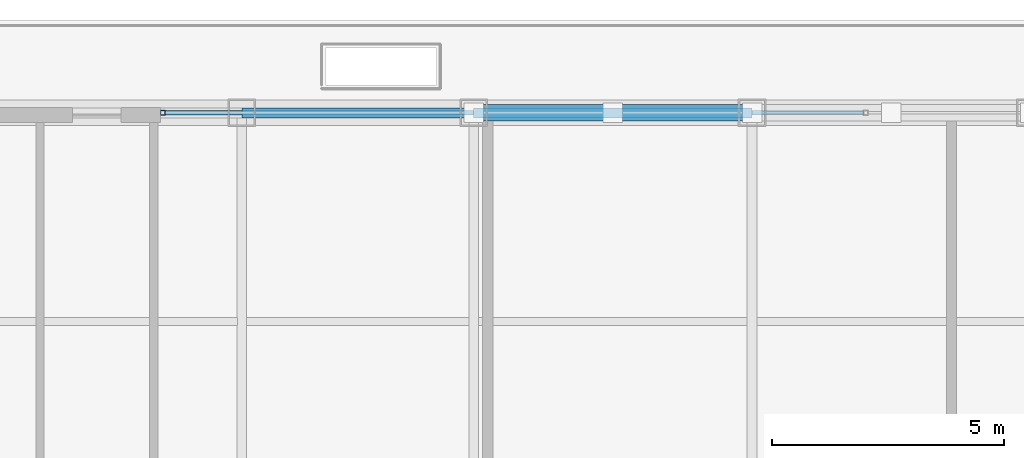
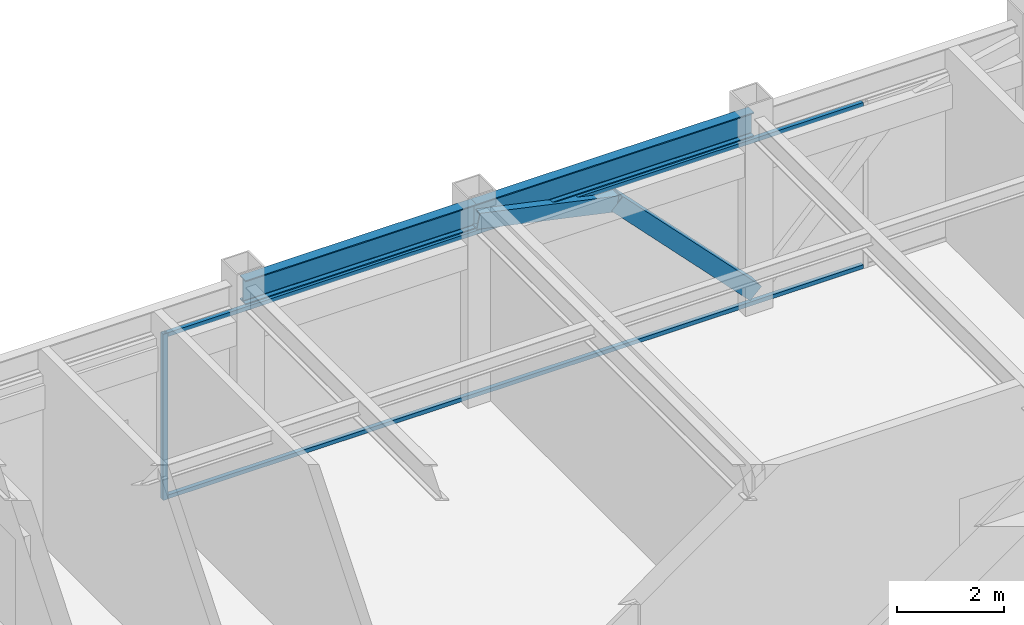
# One storey, part 16 of 32: 5 members, 2 beams, 1 element without a shape of its own.
"""IFC4 building model written with IfcOpenShell, lengths in metres."""

import ifcopenshell
import ifcopenshell.guid

model = None  # the IFC model being written
_history = None  # IfcOwnerHistory: only IFC2X3 demands one
_inside = {}  # id of a spatial element -> (the spatial element, [elements in it])
_under = {}  # id of a project, library or spatial element -> (it, [spatial elements below it])
_declared = {}  # id of a project -> (the project, [libraries it declares])
_typed = {}  # id of a type object -> (the type object, [elements of that type])
_made_of = {}  # id of a material, layer set ... -> (it, [elements and type objects made of it])


def new_model(schema):
    """Start an empty IFC model of exactly this schema.

    Asked for "IFC4X3", IfcOpenShell would pick the latest addendum, in which some entities
    have other attributes; the version numbers below select the first issue.
    IFC2X3 requires an IfcOwnerHistory on every rooted entity: one is made here for all.
    """
    global model, _history
    if schema == "IFC4X3":
        model = ifcopenshell.file(schema_version=(4, 3, 0, 0))
    else:
        model = ifcopenshell.file(schema=schema)
    _inside.clear()
    _under.clear()
    _declared.clear()
    _typed.clear()
    _made_of.clear()
    _history = None
    if model.schema == "IFC2X3":
        org = make("IfcOrganization", Name="unknown")
        user = make(
            "IfcPersonAndOrganization",
            ThePerson=make("IfcPerson", FamilyName="unknown"),
            TheOrganization=org,
        )
        app = make(
            "IfcApplication",
            ApplicationDeveloper=org,
            Version="unknown",
            ApplicationFullName="unknown",
            ApplicationIdentifier="unknown",
        )
        _history = make(
            "IfcOwnerHistory",
            OwningUser=user,
            OwningApplication=app,
            ChangeAction="ADDED",
            CreationDate=0,
        )
    return model


def make(cls, **values):
    """One entity of the class cls with the attributes given. An attribute that is None is left unset."""
    return model.create_entity(
        cls, **{name: value for name, value in values.items() if value is not None}
    )


def rooted(cls, **values):
    """An entity with a GlobalId (a new one), such as an element, a storey or a relation."""
    return make(cls, GlobalId=ifcopenshell.guid.new(), OwnerHistory=_history, **values)


def si_unit(unit_type, name, prefix=None):
    """IfcSIUnit, for example si_unit("LENGTHUNIT", "METRE", prefix="MILLI")."""
    return make("IfcSIUnit", UnitType=unit_type, Prefix=prefix, Name=name)


def assignment(units):
    """IfcUnitAssignment: the units of a project."""
    return None if units is None else make("IfcUnitAssignment", Units=units)


def point(xyz):
    """IfcCartesianPoint."""
    return None if xyz is None else make("IfcCartesianPoint", Coordinates=xyz)


def direction(xyz):
    """IfcDirection."""
    return None if xyz is None else make("IfcDirection", DirectionRatios=xyz)


def frame(location, z_axis=None, x_axis=None):
    """IfcAxis2Placement3D, a coordinate frame: its origin and axes. An axis left out is left unset."""
    return make(
        "IfcAxis2Placement3D",
        Location=point(location),
        Axis=direction(z_axis),
        RefDirection=direction(x_axis),
    )


def frame_2d(location, x_axis=None):
    """IfcAxis2Placement2D, a coordinate frame in the plane: its origin and x axis."""
    return make(
        "IfcAxis2Placement2D", Location=point(location), RefDirection=direction(x_axis)
    )


def origin():
    """The frame at (0, 0, 0) with its axes left unset."""
    return frame((0.0, 0.0, 0.0))


def origin_2d():
    """The frame at (0, 0) in the plane with its x axis left unset."""
    return frame_2d((0.0, 0.0))


def place(relative_to, where):
    """IfcLocalPlacement: puts the frame where relative to a parent placement (None: the world)."""
    return make(
        "IfcLocalPlacement", PlacementRelTo=relative_to, RelativePlacement=where
    )


def context(
    kind, dimensions, precision=None, world=None, true_north=None, identifier=None
):
    """IfcGeometricRepresentationContext, for example the 3D "Model" context."""
    return make(
        "IfcGeometricRepresentationContext",
        ContextIdentifier=identifier,
        ContextType=kind,
        CoordinateSpaceDimension=dimensions,
        Precision=precision,
        WorldCoordinateSystem=world,
        TrueNorth=true_north,
    )


def subcontext(parent, identifier, kind, view, scale=None):
    """IfcGeometricRepresentationSubContext, for example "Body" below "Model"."""
    return make(
        "IfcGeometricRepresentationSubContext",
        ContextIdentifier=identifier,
        ContextType=kind,
        ParentContext=parent,
        TargetScale=scale,
        TargetView=view,
    )


def project(units=None, contexts=None):
    """IfcProject with its units and contexts."""
    return rooted(
        "IfcProject",
        Name="project",
        RepresentationContexts=contexts,
        UnitsInContext=assignment(units),
    )


def spatial(cls, under=None, at=None, **own):
    """A site, building, storey or space (cls), placed at a placement, below another one or the project."""
    s = rooted(cls, ObjectPlacement=at, **own)
    if under is not None:
        _under.setdefault(under.id(), (under, []))[1].append(s)
    return s


def profile(cls, at=None, kind="AREA", **sizes):
    """A parametric profile (cls). Its sizes go by their IFC names, for example OverallWidth=200.0."""
    return make(cls, ProfileType=kind, Position=at, **sizes)


def hollow_rectangle(**sizes):
    """IfcRectangleHollowProfileDef."""
    return profile("IfcRectangleHollowProfileDef", **sizes)


def i_section(**sizes):
    """IfcIShapeProfileDef."""
    return profile("IfcIShapeProfileDef", **sizes)


def extrude(swept, where, along, depth):
    """IfcExtrudedAreaSolid: the profile swept, set in the frame where, extruded along a direction by depth."""
    return make(
        "IfcExtrudedAreaSolid",
        SweptArea=swept,
        Position=where,
        ExtrudedDirection=direction(along),
        Depth=depth,
    )


def shape(context_of_items, identifier, shape_type, items):
    """IfcShapeRepresentation: the items that make up one representation, for example the "Body"."""
    return make(
        "IfcShapeRepresentation",
        ContextOfItems=context_of_items,
        RepresentationIdentifier=identifier,
        RepresentationType=shape_type,
        Items=items,
    )


def source(mapping_origin, context_of_items, identifier, shape_type, items):
    """IfcRepresentationMap: a shape defined once, which mapped items show again and again."""
    return make(
        "IfcRepresentationMap",
        MappingOrigin=mapping_origin,
        MappedRepresentation=shape(context_of_items, identifier, shape_type, items),
    )


def transform(
    local_origin,
    x_axis=None,
    y_axis=None,
    z_axis=None,
    scale=None,
    scale2=None,
    scale3=None,
    uniform=True,
):
    """IfcCartesianTransformationOperator3D, or its non-uniform kind. x_axis, y_axis, z_axis: its Axis1, 2, 3."""
    if uniform:
        return make(
            "IfcCartesianTransformationOperator3D",
            Axis1=direction(x_axis),
            Axis2=direction(y_axis),
            LocalOrigin=point(local_origin),
            Scale=scale,
            Axis3=direction(z_axis),
        )
    return make(
        "IfcCartesianTransformationOperator3DnonUniform",
        Axis1=direction(x_axis),
        Axis2=direction(y_axis),
        LocalOrigin=point(local_origin),
        Scale=scale,
        Axis3=direction(z_axis),
        Scale2=scale2,
        Scale3=scale3,
    )


def mapped(mapping_source, mapping_target):
    """IfcMappedItem: shows the shape of a source again, moved by a transform."""
    return make(
        "IfcMappedItem", MappingSource=mapping_source, MappingTarget=mapping_target
    )


def material(Name=None, Category=None):
    """IfcMaterial."""
    return make("IfcMaterial", Name=Name, Category=Category)


def material_profile(
    of_material, cross_section, Name=None, Category=None, Priority=None
):
    """IfcMaterialProfile: a cross section and its material."""
    return make(
        "IfcMaterialProfile",
        Name=Name,
        Material=of_material,
        Profile=cross_section,
        Priority=Priority,
        Category=Category,
    )


def profile_set(profiles, Name=None, composite=None):
    """IfcMaterialProfileSet."""
    return make(
        "IfcMaterialProfileSet",
        Name=Name,
        MaterialProfiles=profiles,
        CompositeProfile=composite,
    )


def made_of(thing, what):
    """Note that an element or type object is made of a material, layer set ...; save() writes the relation."""
    if what is not None:
        _made_of.setdefault(what.id(), (what, []))[1].append(thing)
    return thing


def type_object(cls, material=None, **own):
    """A type object (cls), such as IfcWallType, which elements share."""
    return made_of(rooted(cls, **own), material)


def element(
    cls,
    number,
    at=None,
    inside=None,
    cuts=None,
    type_object=None,
    material=None,
    context=None,
    identifier="Body",
    shape_type=None,
    held_by="IfcProductDefinitionShape",
    body=None,
    shapes=None,
    **own,
):
    """One element of the class cls, such as IfcWall. Its Tag is "e" and its number.

    at: its placement. inside: the storey or other place that contains it. cuts: it is an
    opening in that element (IfcRelVoidsElement). A single representation is given by context,
    identifier, shape_type and body (its items); several are given by shapes. held_by: the class
    of the entity that holds the representations. save() writes the other relations.
    """
    e = rooted(cls, Tag="e%d" % number, ObjectPlacement=at, **own)
    if body is not None:
        shapes = [shape(context, identifier, shape_type, body)]
    if shapes is not None:
        e.Representation = make(held_by, Representations=shapes)
    if inside is not None:
        _inside.setdefault(inside.id(), (inside, []))[1].append(e)
    if cuts is not None:
        rooted(
            "IfcRelVoidsElement", RelatingBuildingElement=cuts, RelatedOpeningElement=e
        )
    if type_object is not None:
        _typed.setdefault(type_object.id(), (type_object, []))[1].append(e)
    return made_of(e, material)


def aggregate(whole, parts):
    """IfcRelAggregates: a whole, such as a stair, and the parts it consists of."""
    return rooted("IfcRelAggregates", RelatingObject=whole, RelatedObjects=parts)


def save(model, path):
    """Write the relations noted so far, then the file.

    IfcRelAggregates (storeys below a building ...), IfcRelContainedInSpatialStructure (elements
    in a storey), IfcRelDefinesByType, IfcRelAssociatesMaterial and IfcRelDeclares: one each for
    every whole, place, type object, material and project.
    """
    for whole, parts in _under.values():
        aggregate(whole, parts)
    for where, things in _inside.values():
        rooted(
            "IfcRelContainedInSpatialStructure",
            RelatedElements=things,
            RelatingStructure=where,
        )
    for kind, things in _typed.values():
        rooted("IfcRelDefinesByType", RelatedObjects=things, RelatingType=kind)
    for what, things in _made_of.values():
        rooted("IfcRelAssociatesMaterial", RelatedObjects=things, RelatingMaterial=what)
    for by, libraries in _declared.values():
        rooted("IfcRelDeclares", RelatingContext=by, RelatedDefinitions=libraries)
    model.write(path)


model = new_model("IFC4")

# Units and contexts
model_context = context("Model", 3, precision=1e-05, world=origin(), true_north=direction((0.0, 1.0)))
body_context = subcontext(model_context, "Body", "Model", "MODEL_VIEW")
ifc_project = project(units=[si_unit("LENGTHUNIT", "METRE"), si_unit("AREAUNIT", "SQUARE_METRE"), si_unit("VOLUMEUNIT", "CUBIC_METRE"), si_unit("PLANEANGLEUNIT", "RADIAN"), si_unit("MASSUNIT", "GRAM", prefix="KILO")], contexts=[model_context])

# Site, building, storey
site_placement = place(None, origin())
site = spatial("IfcSite", under=ifc_project, at=site_placement, CompositionType="ELEMENT")
building_placement = place(site_placement, origin())
building = spatial("IfcBuilding", under=site, at=building_placement, Name="Khorayat Bourse Tower", CompositionType="ELEMENT")
storey_placement = place(building_placement, frame((0.0, 0.0, 375.5)))
storey = spatial("IfcBuildingStorey", under=building, at=storey_placement, Name="L89", CompositionType="ELEMENT", Elevation=375.5)

# Beams
ifc_material_1 = material(Name="Steel ASTM A992 Grade 50", Category="steel")
ifc_material_profile_1 = material_profile(ifc_material_1, i_section(OverallWidth=0.214111328125, OverallDepth=0.549072265625, WebThickness=0.0146484375, FlangeThickness=0.023681640625, FilletRadius=0.013916015625, at=origin_2d()), Name="W530X138")
ifc_profile_set_1 = profile_set([ifc_material_profile_1], Name="Steel ASTM A992 Grade 50")
beam_type = type_object("IfcBeamType", Name="BM-SPAN-530", PredefinedType="SPANDREL", material=ifc_profile_set_1)
shared_shape_1 = source(origin(), body_context, "Body", "SweptSolid", [
    extrude(i_section(OverallWidth=0.214111328125, OverallDepth=0.549072265625, WebThickness=0.0146484375, FlangeThickness=0.023681640625, FilletRadius=0.013916015625, at=origin_2d()), origin(), (0.0, 0.0, 1.0), 5.0),
])
beam_1_placement = place(storey_placement, frame((-11.0, 24.0, 4.175537109375), z_axis=(1.0, 0.0, 0.0), x_axis=(0.0, 1.0, 0.0)))
element("IfcBeam", 1, at=beam_1_placement, inside=storey, type_object=beam_type, Name="L89 BM-SPAN-530 BM-L89-SPN-044", PredefinedType="SPANDREL", context=body_context, shape_type="MappedRepresentation", body=[
    mapped(shared_shape_1, transform((0.0, 0.0, 0.0), scale=1.0)),
])
shared_shape_2 = source(origin(), body_context, "Body", "SweptSolid", [
    extrude(i_section(OverallWidth=0.214111328125, OverallDepth=0.549072265625, WebThickness=0.0146484375, FlangeThickness=0.023681640625, FilletRadius=0.013916015625, at=origin_2d()), origin(), (0.0, 0.0, 1.0), 6.0),
])
beam_2_placement = place(storey_placement, frame((-6.0, 24.0, 4.175537109375), z_axis=(1.0, 0.0, 0.0), x_axis=(0.0, 1.0, 0.0)))
element("IfcBeam", 2, at=beam_2_placement, inside=storey, type_object=beam_type, Name="L89 BM-SPAN-530 BM-L89-SPN-043", PredefinedType="SPANDREL", context=body_context, shape_type="MappedRepresentation", body=[
    mapped(shared_shape_2, transform((0.0, 0.0, 0.0), scale=1.0)),
])

# Members
ifc_material_2 = material(Name="Steel EN 10025-2 S355J2", Category="steel")
ifc_material_profile_2 = material_profile(ifc_material_2, hollow_rectangle(XDim=0.35009765625, YDim=0.35009765625, WallThickness=0.02001953125, at=origin_2d()), Name="HSS 350x350x20")
ifc_profile_set_2 = profile_set([ifc_material_profile_2], Name="Steel EN 10025-2 S355J2")
member_type_1 = type_object("IfcMemberType", Name="MBR-CROWN-350", PredefinedType="USERDEFINED", material=ifc_profile_set_2)
shared_shape_3 = source(origin(), body_context, "Body", "SweptSolid", [
    extrude(hollow_rectangle(XDim=0.35009765625, YDim=0.35009765625, WallThickness=0.02001953125, at=origin_2d()), origin(), (0.0, 0.0, 1.0), 3.069580078125),
])
member_1_placement = place(storey_placement, frame((-6.0, 24.0, 4.10009765625), z_axis=(0.977313263163, 0.0, -0.211798927393), x_axis=(0.0, 1.0, 0.0)))
element("IfcMember", 3, at=member_1_placement, inside=storey, type_object=member_type_1, Name="L89 Lantern Crown Frame Member 07", ObjectType="CROWN FRAME", PredefinedType="USERDEFINED", context=body_context, shape_type="MappedRepresentation", body=[
    mapped(shared_shape_3, transform((0.0, 0.0, 0.0), scale=1.0)),
])
shared_shape_4 = source(origin(), body_context, "Body", "SweptSolid", [
    extrude(hollow_rectangle(XDim=0.35009765625, YDim=0.35009765625, WallThickness=0.02001953125, at=origin_2d()), origin(), (0.0, 0.0, 1.0), 4.313720703125),
])
member_2_placement = place(storey_placement, frame((-3.0, 24.0, 3.449951171875), z_axis=(0.695438396675, 0.0, -0.718585719612), x_axis=(0.0, 1.0, 0.0)))
element("IfcMember", 4, at=member_2_placement, inside=storey, type_object=member_type_1, Name="L89 Lantern Crown Frame Member 08", ObjectType="CROWN FRAME", PredefinedType="USERDEFINED", context=body_context, shape_type="MappedRepresentation", body=[
    mapped(shared_shape_4, transform((0.0, 0.0, 0.0), scale=1.0)),
])

# Curtain wall, members
ifc_material_3 = material(Name="Aluminium EN AW-6063 T6", Category="aluminium")
curtain_wall_type = type_object("IfcCurtainWallType", Name="CW-SYS-07", PredefinedType="NOTDEFINED", material=ifc_material_3)
curtain_wall_placement = place(storey_placement, origin())
curtain_wall = element("IfcCurtainWall", 5, at=curtain_wall_placement, inside=storey, type_object=curtain_wall_type, Name="L89 Curtain Wall CW-L89-N2", PredefinedType="NOTDEFINED")
ifc_material_profile_3 = material_profile(ifc_material_3, hollow_rectangle(XDim=0.10009765625, YDim=0.10009765625, WallThickness=0.0048828125, at=origin_2d()), Name="ALU 100x100x5")
ifc_profile_set_3 = profile_set([ifc_material_profile_3], Name="Aluminium EN AW-6063 T6")
member_type_2 = type_object("IfcMemberType", Name="CWM-LANTERN-100", PredefinedType="MULLION", material=ifc_profile_set_3)
shared_shape_5 = source(origin(), body_context, "Body", "SweptSolid", [
    extrude(hollow_rectangle(XDim=0.10009765625, YDim=0.10009765625, WallThickness=0.0048828125, at=origin_2d()), origin(), (0.0, 0.0, 1.0), 3.800048828125),
])
member_3_placement = place(storey_placement, frame((-12.699951171875, 24.0, 0.0), z_axis=(0.0, 0.0, 1.0), x_axis=(0.0, 1.0, 0.0)))
member_3 = element("IfcMember", 6, at=member_3_placement, type_object=member_type_2, Name="CW-L89-N2 Vertical Mullion 1", PredefinedType="MULLION", context=body_context, shape_type="MappedRepresentation", body=[
    mapped(shared_shape_5, transform((0.0, 0.0, 0.0), scale=1.0)),
])
ifc_material_profile_4 = material_profile(ifc_material_3, hollow_rectangle(XDim=0.090087890625, YDim=0.090087890625, WallThickness=0.00390625, at=origin_2d()), Name="ALU 90x90x4")
ifc_profile_set_4 = profile_set([ifc_material_profile_4], Name="Aluminium EN AW-6063 T6")
member_type_3 = type_object("IfcMemberType", Name="CWT-HORZ-90", PredefinedType="USERDEFINED", material=ifc_profile_set_4)
shared_shape_6 = source(origin(), body_context, "Body", "SweptSolid", [
    extrude(hollow_rectangle(XDim=0.090087890625, YDim=0.090087890625, WallThickness=0.00390625, at=origin_2d()), origin(), (0.0, 0.0, 1.0), 15.0498046875),
])
member_4_placement = place(storey_placement, frame((-12.64990234375, 24.0, 0.044921875), z_axis=(1.0, 0.0, 0.0), x_axis=(0.0, 1.0, 0.0)))
member_4 = element("IfcMember", 7, at=member_4_placement, type_object=member_type_3, Name="CW-L89-N2 Horizontal Transom 1-1", ObjectType="TRANSOM", PredefinedType="USERDEFINED", context=body_context, shape_type="MappedRepresentation", body=[
    mapped(shared_shape_6, transform((0.0, 0.0, 0.0), scale=1.0)),
])
member_5_placement = place(storey_placement, frame((-12.64990234375, 24.0, 3.7548828125), z_axis=(1.0, 0.0, 0.0), x_axis=(0.0, 1.0, 0.0)))
member_5 = element("IfcMember", 8, at=member_5_placement, type_object=member_type_3, Name="CW-L89-N2 Horizontal Transom 1-2", ObjectType="TRANSOM", PredefinedType="USERDEFINED", context=body_context, shape_type="MappedRepresentation", body=[
    mapped(shared_shape_6, transform((0.0, 0.0, 0.0), scale=1.0)),
])
aggregate(curtain_wall, [member_3, member_4, member_5])

save(model, "model.ifc")
